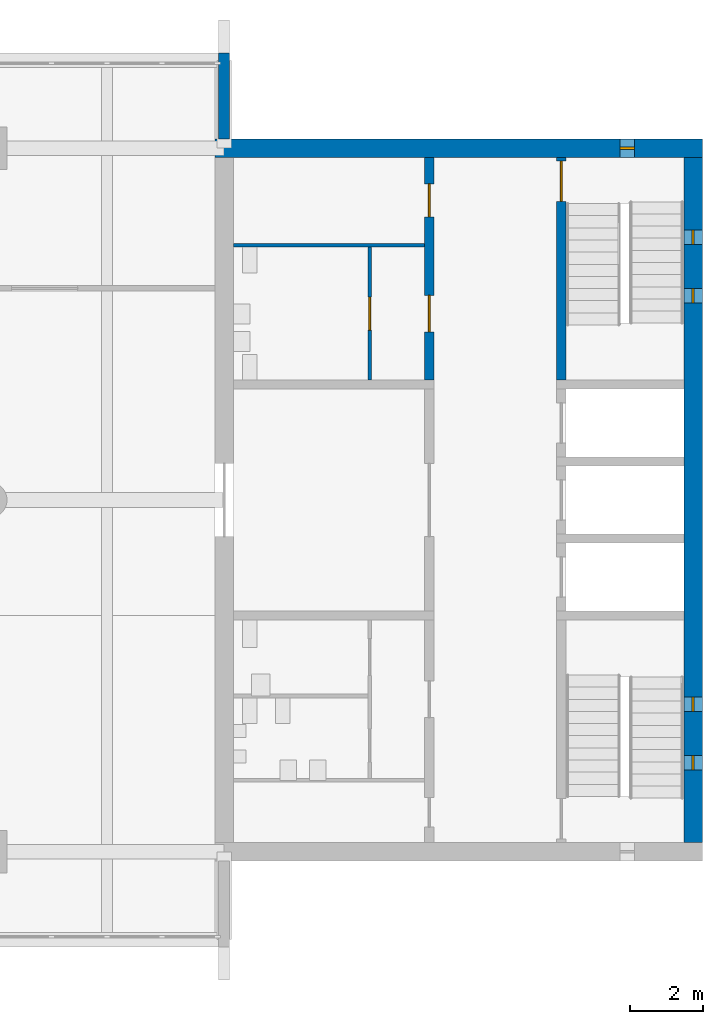
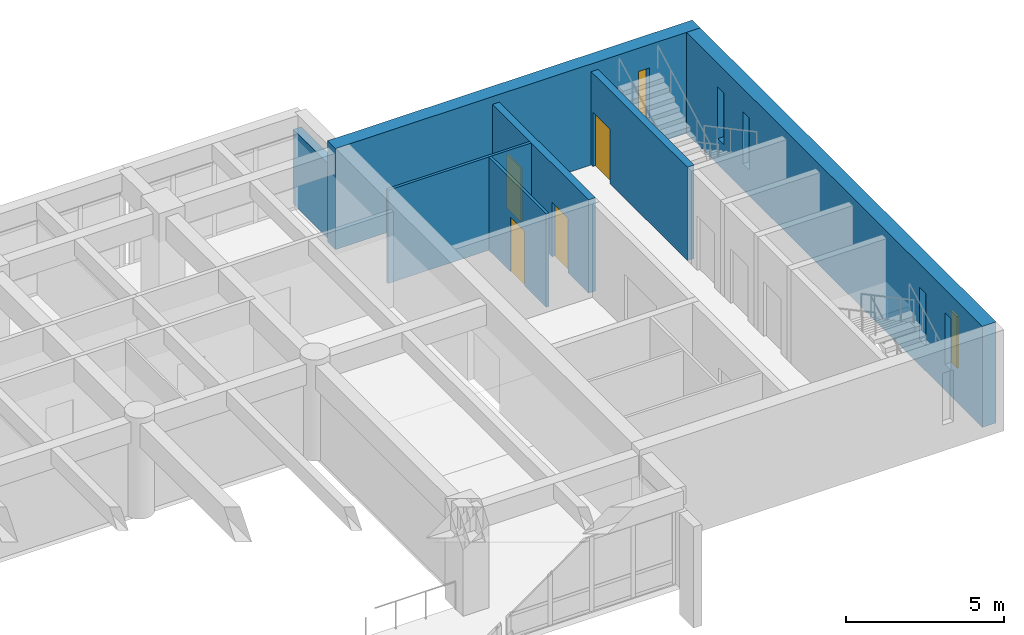
# One storey, part 12 of 15: 7 walls, 5 windows, 4 doors, 9 openings.
"""IFC4 building model written with IfcOpenShell, lengths in metres."""

from ifc_helpers import new_model, si_unit, direction, frame, frame_2d, origin, place, context, subcontext, project, spatial, rectangle, extrude, material, layer, layer_set, type_object, element, fill, save


model = new_model("IFC4")

# Units and contexts
model_context = context("Model", 3, precision=1e-05, world=origin(), true_north=direction((0.0, 1.0)))
body_context = subcontext(model_context, "Body", "Model", "MODEL_VIEW")
ifc_project = project(units=[si_unit("LENGTHUNIT", "METRE"), si_unit("AREAUNIT", "SQUARE_METRE"), si_unit("VOLUMEUNIT", "CUBIC_METRE"), si_unit("PLANEANGLEUNIT", "RADIAN"), si_unit("MASSUNIT", "GRAM", prefix="KILO")], contexts=[model_context])

# Site, building, storey
site_placement = place(None, origin())
site = spatial("IfcSite", under=ifc_project, at=site_placement, CompositionType="ELEMENT")
building_placement = place(site_placement, origin())
building = spatial("IfcBuilding", under=site, at=building_placement, Name="Fogon Plaza Fire Station and Headquarters Tower", CompositionType="ELEMENT")
storey_placement = place(building_placement, frame((0.0, 0.0, 36.60009765625)))
storey = spatial("IfcBuildingStorey", under=building, at=storey_placement, Name="L09", CompositionType="ELEMENT", Elevation=36.60009765625)

# Wall, opening, door
ifc_material_1 = material(Name="Concrete C40", Category="concrete")
ifc_layer_1 = layer(ifc_material_1, 0.25)
ifc_layer_set_1 = layer_set([ifc_layer_1], Name="Concrete C40")
wall_type_1 = type_object("IfcWallType", Name="Core Wall RC 250", PredefinedType="SOLIDWALL", material=ifc_layer_set_1)
wall_1_placement = place(storey_placement, frame((73.199951171875, 46.47509765625, 0.0), z_axis=(0.0, 0.0, 1.0), x_axis=(0.0, 1.0, 0.0)))
wall_1 = element("IfcWall", 1, at=wall_1_placement, inside=storey, type_object=wall_type_1, Name="Core B shaft wall", PredefinedType="SOLIDWALL", context=body_context, shape_type="SweptSolid", body=[
    extrude(rectangle(XDim=6.074951171875, YDim=0.25, at=frame_2d((3.03759765625, 0.0))), origin(), (0.0, 0.0, 1.0), 3.599853515625),
])
opening_1_placement = place(wall_1_placement, frame((4.875, 0.0, 0.0)))
opening_1 = element("IfcOpeningElement", 2, at=opening_1_placement, cuts=wall_1, Name="Opening L09-D16", PredefinedType="OPENING", context=body_context, shape_type="SweptSolid", body=[
    extrude(rectangle(XDim=1.10009765625, YDim=2.10009765625, at=frame_2d((0.550048828125, 1.050048828125))), frame((0.0, 0.135009765625, 0.0), z_axis=(0.0, -1.0, 0.0), x_axis=(1.0, 0.0, 0.0)), (0.0, 0.0, 1.0), 0.27001953125),
])
ifc_material_2 = material(Name="Steel Fire Door Leaf", Category="steel")
door_type_1 = type_object("IfcDoorType", Name="Stair Door Single 1100x2100", OperationType="SINGLE_SWING_LEFT", PredefinedType="DOOR", material=ifc_material_2)
door_1_placement = place(opening_1_placement, frame((1.10009765625, 0.0, 0.0), z_axis=(0.0, 0.0, 1.0), x_axis=(-1.0, 0.0, 0.0)))
door_1 = element("IfcDoor", 3, at=door_1_placement, inside=storey, type_object=door_type_1, Name="Stair door ST4", OperationType="SINGLE_SWING_LEFT", OverallHeight=2.10009765625, OverallWidth=1.10009765625, PredefinedType="DOOR", context=body_context, shape_type="SweptSolid", body=[
    extrude(rectangle(XDim=1.10009765625, YDim=2.10009765625, at=frame_2d((0.550048828125, 1.050048828125))), frame((0.0, 0.02490234375, 0.0), z_axis=(0.0, -1.0, 0.0), x_axis=(1.0, 0.0, 0.0)), (0.0, 0.0, 1.0), 0.050048828125),
])
fill(opening_1, door_1)

# Wall, openings, doors
wall_2_placement = place(storey_placement, frame((69.60009765625, 46.47509765625, 0.0), z_axis=(0.0, 0.0, 1.0), x_axis=(0.0, 1.0, 0.0)))
wall_2 = element("IfcWall", 4, at=wall_2_placement, inside=storey, type_object=wall_type_1, Name="Core B shaft wall", PredefinedType="SOLIDWALL", context=body_context, shape_type="SweptSolid", body=[
    extrude(rectangle(XDim=6.074951171875, YDim=0.25, at=frame_2d((3.03759765625, 0.0))), origin(), (0.0, 0.0, 1.0), 3.599853515625),
])
opening_2_placement = place(wall_2_placement, frame((1.3125, 0.0, 0.0)))
opening_2 = element("IfcOpeningElement", 5, at=opening_2_placement, cuts=wall_2, Name="Opening L09-D26", PredefinedType="OPENING", context=body_context, shape_type="SweptSolid", body=[
    extrude(rectangle(XDim=1.0, YDim=2.10009765625, at=frame_2d((0.5, 1.050048828125))), frame((0.0, 0.135009765625, 0.0), z_axis=(0.0, -1.0, 0.0), x_axis=(1.0, 0.0, 0.0)), (0.0, 0.0, 1.0), 0.27001953125),
])
opening_3_placement = place(wall_2_placement, frame((4.449951171875, 0.0, 0.0)))
opening_3 = element("IfcOpeningElement", 6, at=opening_3_placement, cuts=wall_2, Name="Opening L09-D28", PredefinedType="OPENING", context=body_context, shape_type="SweptSolid", body=[
    extrude(rectangle(XDim=0.89990234375, YDim=2.10009765625, at=frame_2d((0.449951171875, 1.050048828125))), frame((0.0, 0.135009765625, 0.0), z_axis=(0.0, -1.0, 0.0), x_axis=(1.0, 0.0, 0.0)), (0.0, 0.0, 1.0), 0.27001953125),
])
ifc_material_3 = material(Name="Steel Fire Door Leaf", Category="steel")
door_type_2 = type_object("IfcDoorType", Name="Riser Single 900x2100", OperationType="SINGLE_SWING_LEFT", PredefinedType="DOOR", material=ifc_material_3)
door_2_placement = place(opening_3_placement, origin())
door_2 = element("IfcDoor", 7, at=door_2_placement, inside=storey, type_object=door_type_2, Name="Riser room B door", OperationType="SINGLE_SWING_RIGHT", OverallHeight=2.10009765625, OverallWidth=0.89990234375, PredefinedType="DOOR", context=body_context, shape_type="SweptSolid", body=[
    extrude(rectangle(XDim=0.89990234375, YDim=2.10009765625, at=frame_2d((0.449951171875, 1.050048828125))), frame((0.0, 0.02490234375, 0.0), z_axis=(0.0, -1.0, 0.0), x_axis=(1.0, 0.0, 0.0)), (0.0, 0.0, 1.0), 0.050048828125),
])
fill(opening_3, door_2)
ifc_material_4 = material(Name="Timber fire door", Category="wood")
door_type_3 = type_object("IfcDoorType", Name="WC Lobby Single 1000x2100", OperationType="SINGLE_SWING_LEFT", PredefinedType="DOOR", material=ifc_material_4)
door_3_placement = place(opening_2_placement, origin())
door_3 = element("IfcDoor", 8, at=door_3_placement, inside=storey, type_object=door_type_3, Name="Women's WC lobby B door", OperationType="SINGLE_SWING_RIGHT", OverallHeight=2.10009765625, OverallWidth=1.0, PredefinedType="DOOR", context=body_context, shape_type="SweptSolid", body=[
    extrude(rectangle(XDim=1.0, YDim=2.10009765625, at=frame_2d((0.5, 1.050048828125))), frame((0.0, 0.02490234375, 0.0), z_axis=(0.0, -1.0, 0.0), x_axis=(1.0, 0.0, 0.0)), (0.0, 0.0, 1.0), 0.050048828125),
])
fill(opening_2, door_3)

# Wall
ifc_material_5 = material(Name="Concrete C40", Category="concrete")
ifc_layer_2 = layer(ifc_material_5, 0.300048828125)
ifc_layer_set_2 = layer_set([ifc_layer_2], Name="Concrete C40")
wall_type_2 = type_object("IfcWallType", Name="Fair-faced RC Return Panel 300", PredefinedType="SOLIDWALL", material=ifc_layer_set_2)
wall_3_placement = place(storey_placement, frame((64.0, 53.050048828125, 0.0), z_axis=(0.0, 0.0, 1.0), x_axis=(0.0, 1.0, 0.0)))
element("IfcWall", 9, at=wall_3_placement, inside=storey, type_object=wall_type_2, Name="Bar end return EN L09", PredefinedType="SOLIDWALL", context=body_context, shape_type="SweptSolid", body=[
    extrude(rectangle(XDim=2.349853515625, YDim=0.300048828125, at=frame_2d((1.1748046875, 0.0))), origin(), (0.0, 0.0, 1.0), 2.8798828125),
])

# Wall, opening, door
ifc_material_6 = material(Name="Blockwork", Category="masonry")
ifc_layer_3 = layer(ifc_material_6, 0.10009765625)
ifc_layer_set_3 = layer_set([ifc_layer_3], Name="Blockwork")
wall_type_3 = type_object("IfcWallType", Name="Partition Blockwork 100", PredefinedType="PARTITIONING", material=ifc_layer_set_3)
wall_4_placement = place(storey_placement, frame((67.97509765625, 46.47509765625, 0.0), z_axis=(0.0, 0.0, 1.0), x_axis=(0.0, 1.0, 0.0)))
wall_4 = element("IfcWall", 10, at=wall_4_placement, inside=storey, type_object=wall_type_3, Name="WC block partition", PredefinedType="PARTITIONING", context=body_context, shape_type="SweptSolid", body=[
    extrude(rectangle(XDim=3.625, YDim=0.10009765625, at=frame_2d((1.8125, 0.0))), origin(), (0.0, 0.0, 1.0), 3.599853515625),
])
opening_4_placement = place(wall_4_placement, frame((1.362548828125, 0.0, 0.0)))
opening_4 = element("IfcOpeningElement", 11, at=opening_4_placement, cuts=wall_4, Name="Opening L09-D27", PredefinedType="OPENING", context=body_context, shape_type="SweptSolid", body=[
    extrude(rectangle(XDim=0.89990234375, YDim=2.10009765625, at=frame_2d((0.449951171875, 1.050048828125))), frame((0.0, 0.06005859375, 0.0), z_axis=(0.0, -1.0, 0.0), x_axis=(1.0, 0.0, 0.0)), (0.0, 0.0, 1.0), 0.1201171875),
])
ifc_material_7 = material(Name="Timber Door Leaf", Category="wood")
door_type_4 = type_object("IfcDoorType", Name="WC Single 900x2100", OperationType="SINGLE_SWING_LEFT", PredefinedType="DOOR", material=ifc_material_7)
door_4_placement = place(opening_4_placement, origin())
door_4 = element("IfcDoor", 12, at=door_4_placement, inside=storey, type_object=door_type_4, Name="Women's WC B door", OperationType="SINGLE_SWING_LEFT", OverallHeight=2.10009765625, OverallWidth=0.89990234375, PredefinedType="DOOR", context=body_context, shape_type="SweptSolid", body=[
    extrude(rectangle(XDim=0.89990234375, YDim=2.10009765625, at=frame_2d((0.449951171875, 1.050048828125))), frame((0.0, 0.02490234375, 0.0), z_axis=(0.0, -1.0, 0.0), x_axis=(1.0, 0.0, 0.0)), (0.0, 0.0, 1.0), 0.050048828125),
])
fill(opening_4, door_4)

# Wall
ifc_material_8 = material(Name="Blockwork", Category="masonry")
ifc_layer_4 = layer(ifc_material_8, 0.10009765625)
ifc_layer_set_4 = layer_set([ifc_layer_4], Name="Blockwork")
wall_type_4 = type_object("IfcWallType", Name="Riser Partition Blockwork 100", PredefinedType="PARTITIONING", material=ifc_layer_set_4)
wall_5_placement = place(storey_placement, frame((69.47509765625, 50.14990234375, 0.0), z_axis=(0.0, 0.0, 1.0), x_axis=(-1.0, 0.0, 0.0)))
element("IfcWall", 13, at=wall_5_placement, inside=storey, type_object=wall_type_4, Name="Riser room partition", PredefinedType="PARTITIONING", context=body_context, shape_type="SweptSolid", body=[
    extrude(rectangle(XDim=5.22509765625, YDim=0.10009765625, at=frame_2d((2.612548828125, 0.0))), origin(), (0.0, 0.0, 1.0), 3.599853515625),
])

# Wall, opening, window
ifc_material_9 = material(Name="Concrete C40", Category="concrete")
ifc_layer_5 = layer(ifc_material_9, 0.5)
ifc_layer_set_5 = layer_set([ifc_layer_5], Name="Concrete C40")
wall_type_5 = type_object("IfcWallType", Name="Shear wall 500 SW50", PredefinedType="SHEAR", material=ifc_layer_set_5)
wall_6_placement = place(storey_placement, frame((63.75, 52.800048828125, 0.0), z_axis=(0.0, 0.0, 1.0), x_axis=(1.0, 0.0, 0.0)))
wall_6 = element("IfcWall", 14, at=wall_6_placement, inside=storey, type_object=wall_type_5, Name="wall-coreB-N-L09", PredefinedType="SHEAR", context=body_context, shape_type="SweptSolid", body=[
    extrude(rectangle(XDim=13.300048828125, YDim=0.5, at=frame_2d((6.64990234375, 0.0))), origin(), (0.0, 0.0, 1.0), 3.89990234375),
])
opening_5_placement = place(wall_6_placement, frame((11.050048828125, 0.0, 1.0)))
opening_5 = element("IfcOpeningElement", 15, at=opening_5_placement, cuts=wall_6, Name="Opening WS1", PredefinedType="OPENING", context=body_context, shape_type="SweptSolid", body=[
    extrude(rectangle(XDim=0.39990234375, YDim=2.0, at=frame_2d((0.199951171875, 1.0))), frame((0.0, 0.260009765625, 0.0), z_axis=(0.0, -1.0, 0.0), x_axis=(1.0, 0.0, 0.0)), (0.0, 0.0, 1.0), 0.52001953125),
])
ifc_material_10 = material(Name="Aluminium framed double glazing", Category="aluminium")
window_type = type_object("IfcWindowType", Name="Slit Window WS1 400x2000", PartitioningType="SINGLE_PANEL", PredefinedType="WINDOW", material=ifc_material_10)
window_1_placement = place(opening_5_placement, origin())
window_1 = element("IfcWindow", 16, at=window_1_placement, inside=storey, type_object=window_type, Name="Slit window B6 L09", OverallHeight=2.0, OverallWidth=0.39990234375, PartitioningType="SINGLE_PANEL", PredefinedType="WINDOW", context=body_context, shape_type="SweptSolid", body=[
    extrude(rectangle(XDim=0.39990234375, YDim=2.0, at=frame_2d((0.199951171875, 1.0))), frame((0.0, 0.030029296875, 0.0), z_axis=(0.0, -1.0, 0.0), x_axis=(1.0, 0.0, 0.0)), (0.0, 0.0, 1.0), 0.06005859375),
])
fill(opening_5, window_1)

# Wall, openings, windows
wall_7_placement = place(storey_placement, frame((76.800048828125, 33.85009765625, 0.0), z_axis=(0.0, 0.0, 1.0), x_axis=(0.0, 1.0, 0.0)))
wall_7 = element("IfcWall", 17, at=wall_7_placement, inside=storey, type_object=wall_type_5, Name="wall-coreB-E-L09", PredefinedType="SHEAR", context=body_context, shape_type="SweptSolid", body=[
    extrude(rectangle(XDim=18.699951171875, YDim=0.5, at=frame_2d((9.35009765625, 0.0))), origin(), (0.0, 0.0, 1.0), 3.89990234375),
])
opening_6_placement = place(wall_7_placement, frame((1.97509765625, 0.0, 1.0)))
opening_6 = element("IfcOpeningElement", 18, at=opening_6_placement, cuts=wall_7, Name="Opening WS1", PredefinedType="OPENING", context=body_context, shape_type="SweptSolid", body=[
    extrude(rectangle(XDim=0.39990234375, YDim=2.0, at=frame_2d((0.199951171875, 1.0))), frame((0.0, 0.260009765625, 0.0), z_axis=(0.0, -1.0, 0.0), x_axis=(1.0, 0.0, 0.0)), (0.0, 0.0, 1.0), 0.52001953125),
])
opening_7_placement = place(wall_7_placement, frame((3.574951171875, 0.0, 1.0)))
opening_7 = element("IfcOpeningElement", 19, at=opening_7_placement, cuts=wall_7, Name="Opening WS1", PredefinedType="OPENING", context=body_context, shape_type="SweptSolid", body=[
    extrude(rectangle(XDim=0.39990234375, YDim=2.0, at=frame_2d((0.199951171875, 1.0))), frame((0.0, 0.260009765625, 0.0), z_axis=(0.0, -1.0, 0.0), x_axis=(1.0, 0.0, 0.0)), (0.0, 0.0, 1.0), 0.52001953125),
])
opening_8_placement = place(wall_7_placement, frame((14.72509765625, 0.0, 1.0)))
opening_8 = element("IfcOpeningElement", 20, at=opening_8_placement, cuts=wall_7, Name="Opening WS1", PredefinedType="OPENING", context=body_context, shape_type="SweptSolid", body=[
    extrude(rectangle(XDim=0.39990234375, YDim=2.0, at=frame_2d((0.199951171875, 1.0))), frame((0.0, 0.260009765625, 0.0), z_axis=(0.0, -1.0, 0.0), x_axis=(1.0, 0.0, 0.0)), (0.0, 0.0, 1.0), 0.52001953125),
])
opening_9_placement = place(wall_7_placement, frame((16.324951171875, 0.0, 1.0)))
opening_9 = element("IfcOpeningElement", 21, at=opening_9_placement, cuts=wall_7, Name="Opening WS1", PredefinedType="OPENING", context=body_context, shape_type="SweptSolid", body=[
    extrude(rectangle(XDim=0.39990234375, YDim=2.0, at=frame_2d((0.199951171875, 1.0))), frame((0.0, 0.260009765625, 0.0), z_axis=(0.0, -1.0, 0.0), x_axis=(1.0, 0.0, 0.0)), (0.0, 0.0, 1.0), 0.52001953125),
])
window_2_placement = place(opening_6_placement, origin())
window_2 = element("IfcWindow", 22, at=window_2_placement, inside=storey, type_object=window_type, Name="Slit window B1 L09", OverallHeight=2.0, OverallWidth=0.39990234375, PartitioningType="SINGLE_PANEL", PredefinedType="WINDOW", context=body_context, shape_type="SweptSolid", body=[
    extrude(rectangle(XDim=0.39990234375, YDim=2.0, at=frame_2d((0.199951171875, 1.0))), frame((0.0, 0.030029296875, 0.0), z_axis=(0.0, -1.0, 0.0), x_axis=(1.0, 0.0, 0.0)), (0.0, 0.0, 1.0), 0.06005859375),
])
fill(opening_6, window_2)
window_3_placement = place(opening_7_placement, origin())
window_3 = element("IfcWindow", 23, at=window_3_placement, inside=storey, type_object=window_type, Name="Slit window B2 L09", OverallHeight=2.0, OverallWidth=0.39990234375, PartitioningType="SINGLE_PANEL", PredefinedType="WINDOW", context=body_context, shape_type="SweptSolid", body=[
    extrude(rectangle(XDim=0.39990234375, YDim=2.0, at=frame_2d((0.199951171875, 1.0))), frame((0.0, 0.030029296875, 0.0), z_axis=(0.0, -1.0, 0.0), x_axis=(1.0, 0.0, 0.0)), (0.0, 0.0, 1.0), 0.06005859375),
])
fill(opening_7, window_3)
window_4_placement = place(opening_8_placement, origin())
window_4 = element("IfcWindow", 24, at=window_4_placement, inside=storey, type_object=window_type, Name="Slit window B3 L09", OverallHeight=2.0, OverallWidth=0.39990234375, PartitioningType="SINGLE_PANEL", PredefinedType="WINDOW", context=body_context, shape_type="SweptSolid", body=[
    extrude(rectangle(XDim=0.39990234375, YDim=2.0, at=frame_2d((0.199951171875, 1.0))), frame((0.0, 0.030029296875, 0.0), z_axis=(0.0, -1.0, 0.0), x_axis=(1.0, 0.0, 0.0)), (0.0, 0.0, 1.0), 0.06005859375),
])
fill(opening_8, window_4)
window_5_placement = place(opening_9_placement, origin())
window_5 = element("IfcWindow", 25, at=window_5_placement, inside=storey, type_object=window_type, Name="Slit window B4 L09", OverallHeight=2.0, OverallWidth=0.39990234375, PartitioningType="SINGLE_PANEL", PredefinedType="WINDOW", context=body_context, shape_type="SweptSolid", body=[
    extrude(rectangle(XDim=0.39990234375, YDim=2.0, at=frame_2d((0.199951171875, 1.0))), frame((0.0, 0.030029296875, 0.0), z_axis=(0.0, -1.0, 0.0), x_axis=(1.0, 0.0, 0.0)), (0.0, 0.0, 1.0), 0.06005859375),
])
fill(opening_9, window_5)

save(model, "model.ifc")
